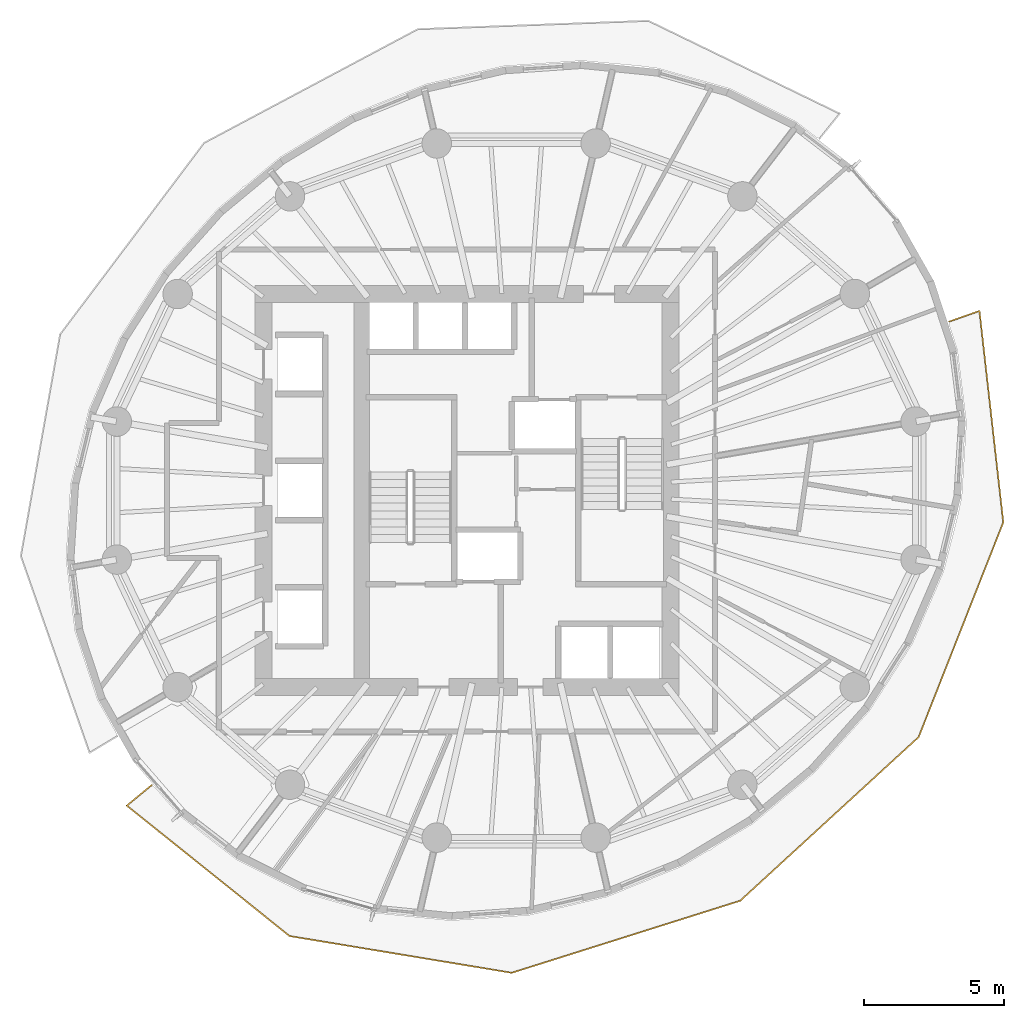
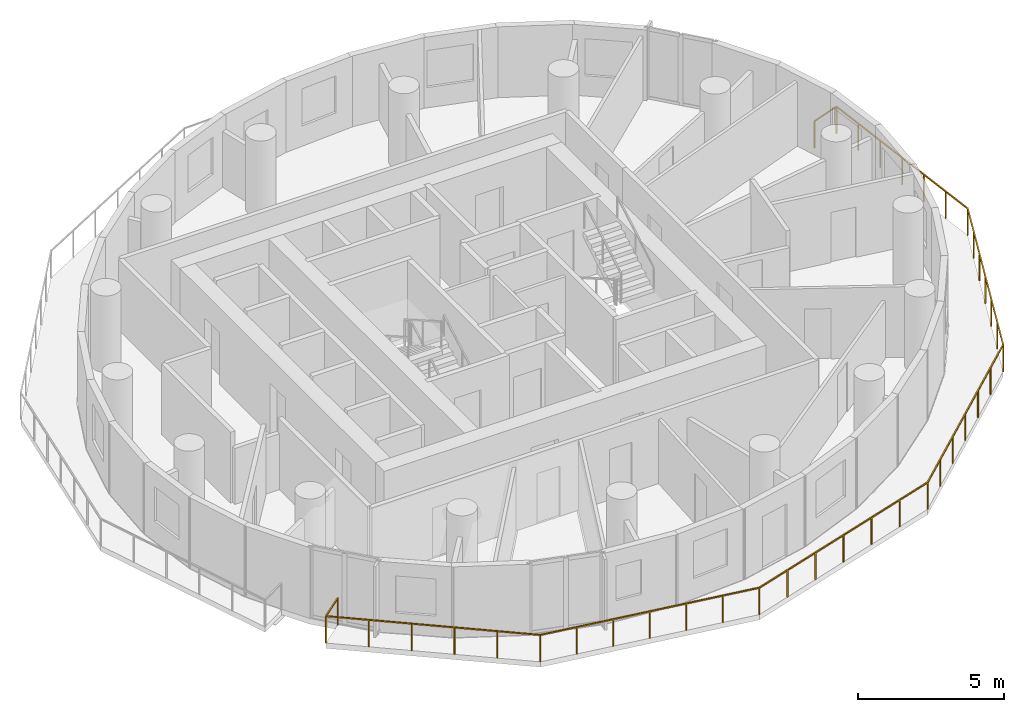
# One storey, part 9 of 12: 1 railing.
"""IFC4 building model written with IfcOpenShell, lengths in metres."""

from ifc_helpers import new_model, si_unit, direction, frame, origin, origin_2d, place, context, subcontext, project, spatial, rectangle, extrude, material, type_object, element, save


model = new_model("IFC4")

# Units and contexts
model_context = context("Model", 3, precision=1e-05, world=origin(), true_north=direction((0.0, 1.0)))
body_context = subcontext(model_context, "Body", "Model", "MODEL_VIEW")
ifc_project = project(units=[si_unit("LENGTHUNIT", "METRE"), si_unit("AREAUNIT", "SQUARE_METRE"), si_unit("VOLUMEUNIT", "CUBIC_METRE"), si_unit("PLANEANGLEUNIT", "RADIAN"), si_unit("MASSUNIT", "GRAM", prefix="KILO")], contexts=[model_context])

# Site, building, storey
site_placement = place(None, origin())
site = spatial("IfcSite", under=ifc_project, at=site_placement, CompositionType="ELEMENT")
building_placement = place(site_placement, origin())
building = spatial("IfcBuilding", under=site, at=building_placement, Name="Veldorim Arch Residences", CompositionType="ELEMENT")
storey_placement = place(building_placement, frame((0.0, 0.0, 145.760009765625)))
storey = spatial("IfcBuildingStorey", under=building, at=storey_placement, Name="L43", CompositionType="ELEMENT", Elevation=145.760009765625)

# Railing
ifc_material = material(Name="Aluminium", Category="aluminium")
railing_type = type_object("IfcRailingType", Name="Balcony & Terrace Laminated Glass Balustrade 1150", PredefinedType="BALUSTRADE", material=ifc_material)
railing_placement = place(storey_placement, frame((19.018310546875, 13.511962890625, 0.0)))
element("IfcRailing", 1, at=railing_placement, inside=storey, type_object=railing_type, Name="L43 crescent balcony safety balustrade B", PredefinedType="BALUSTRADE", context=body_context, shape_type="SweptSolid", body=[
    extrude(rectangle(XDim=0.048095703125, YDim=0.048095703125, at=origin_2d()), frame((0.0, 0.0, 1.1259765625), z_axis=(-0.771862825794, -0.635789098804, 0.0), x_axis=(0.635789098804, -0.771862825794, 0.0)), (0.0, 0.0, 1.0), 1.150146484375),
    extrude(rectangle(XDim=0.048095703125, YDim=0.048095703125, at=origin_2d()), frame((-0.8876953125, -0.731201171875, 1.1259765625), z_axis=(0.780352361535, -0.625340060964, 0.0), x_axis=(0.625340060964, 0.780352361535, 0.0)), (0.0, 0.0, 1.0), 7.42919921875),
    extrude(rectangle(XDim=0.048095703125, YDim=0.048095703125, at=origin_2d()), frame((4.90966796875, -5.376953125, 1.1259765625), z_axis=(0.986583319293, -0.163258549828, 0.0), x_axis=(0.163258549828, 0.986583319293, 0.0)), (0.0, 0.0, 1.0), 8.02001953125),
    extrude(rectangle(XDim=0.048095703125, YDim=0.048095703125, at=origin_2d()), frame((12.822021484375, -6.686279296875, 1.1259765625), z_axis=(0.953685518948, 0.300805470277, 0.0), x_axis=(-0.300805470277, 0.953685518948, 0.0)), (0.0, 0.0, 1.0), 8.533447265625),
    extrude(rectangle(XDim=0.048095703125, YDim=0.048095703125, at=origin_2d()), frame((20.960205078125, -4.119384765625, 1.1259765625), z_axis=(0.736834380594, 0.67607329157, 0.0), x_axis=(-0.67607329157, 0.736834380594, 0.0)), (0.0, 0.0, 1.0), 8.622802734375),
    extrude(rectangle(XDim=0.048095703125, YDim=0.048095703125, at=origin_2d()), frame((27.313720703125, 1.710205078125, 1.1259765625), z_axis=(0.366690452542, 0.930343007721, 0.0), x_axis=(-0.930343007721, 0.366690452542, 0.0)), (0.0, 0.0, 1.0), 8.220458984375),
    extrude(rectangle(XDim=0.048095703125, YDim=0.048095703125, at=origin_2d()), frame((30.328125, 9.358154296875, 1.1259765625), z_axis=(-0.11205134773, 0.993702417966, 0.0), x_axis=(-0.993702417966, -0.11205134773, 0.0)), (0.0, 0.0, 1.0), 7.57568359375),
    extrude(rectangle(XDim=0.048095703125, YDim=0.048095703125, at=origin_2d()), frame((29.479248046875, 16.88623046875, 1.1259765625), z_axis=(-0.94357671006, -0.331154030977, 0.0), x_axis=(0.331154030977, -0.94357671006, 0.0)), (0.0, 0.0, 1.0), 1.150146484375),
    extrude(rectangle(XDim=0.0419921875, YDim=0.0419921875, at=origin_2d()), origin(), (0.0, 0.0, 1.0), 1.101806640625),
    extrude(rectangle(XDim=0.0419921875, YDim=0.0419921875, at=origin_2d()), frame((-0.8876953125, -0.731201171875, 0.0)), (0.0, 0.0, 1.0), 1.101806640625),
    extrude(rectangle(XDim=0.0419921875, YDim=0.0419921875, at=origin_2d()), frame((0.271728515625, -1.660400390625, 0.0)), (0.0, 0.0, 1.0), 1.101806640625),
    extrude(rectangle(XDim=0.0419921875, YDim=0.0419921875, at=origin_2d()), frame((1.43115234375, -2.589599609375, 0.0)), (0.0, 0.0, 1.0), 1.101806640625),
    extrude(rectangle(XDim=0.0419921875, YDim=0.0419921875, at=origin_2d()), frame((2.5908203125, -3.5185546875, 0.0)), (0.0, 0.0, 1.0), 1.101806640625),
    extrude(rectangle(XDim=0.0419921875, YDim=0.0419921875, at=origin_2d()), frame((3.750244140625, -4.44775390625, 0.0)), (0.0, 0.0, 1.0), 1.101806640625),
    extrude(rectangle(XDim=0.0419921875, YDim=0.0419921875, at=origin_2d()), frame((4.90966796875, -5.376953125, 0.0)), (0.0, 0.0, 1.0), 1.101806640625),
    extrude(rectangle(XDim=0.0419921875, YDim=0.0419921875, at=origin_2d()), frame((6.228515625, -5.59521484375, 0.0)), (0.0, 0.0, 1.0), 1.101806640625),
    extrude(rectangle(XDim=0.0419921875, YDim=0.0419921875, at=origin_2d()), frame((7.547119140625, -5.8134765625, 0.0)), (0.0, 0.0, 1.0), 1.101806640625),
    extrude(rectangle(XDim=0.0419921875, YDim=0.0419921875, at=origin_2d()), frame((8.86572265625, -6.03173828125, 0.0)), (0.0, 0.0, 1.0), 1.101806640625),
    extrude(rectangle(XDim=0.0419921875, YDim=0.0419921875, at=origin_2d()), frame((10.1845703125, -6.249755859375, 0.0)), (0.0, 0.0, 1.0), 1.101806640625),
    extrude(rectangle(XDim=0.0419921875, YDim=0.0419921875, at=origin_2d()), frame((11.50341796875, -6.468017578125, 0.0)), (0.0, 0.0, 1.0), 1.101806640625),
    extrude(rectangle(XDim=0.0419921875, YDim=0.0419921875, at=origin_2d()), frame((12.822021484375, -6.686279296875, 0.0)), (0.0, 0.0, 1.0), 1.101806640625),
    extrude(rectangle(XDim=0.0419921875, YDim=0.0419921875, at=origin_2d()), frame((14.178466796875, -6.258544921875, 0.0)), (0.0, 0.0, 1.0), 1.101806640625),
    extrude(rectangle(XDim=0.0419921875, YDim=0.0419921875, at=origin_2d()), frame((15.53466796875, -5.83056640625, 0.0)), (0.0, 0.0, 1.0), 1.101806640625),
    extrude(rectangle(XDim=0.0419921875, YDim=0.0419921875, at=origin_2d()), frame((16.89111328125, -5.40283203125, 0.0)), (0.0, 0.0, 1.0), 1.101806640625),
    extrude(rectangle(XDim=0.0419921875, YDim=0.0419921875, at=origin_2d()), frame((18.24755859375, -4.97509765625, 0.0)), (0.0, 0.0, 1.0), 1.101806640625),
    extrude(rectangle(XDim=0.0419921875, YDim=0.0419921875, at=origin_2d()), frame((19.603759765625, -4.547119140625, 0.0)), (0.0, 0.0, 1.0), 1.101806640625),
    extrude(rectangle(XDim=0.0419921875, YDim=0.0419921875, at=origin_2d()), frame((20.960205078125, -4.119384765625, 0.0)), (0.0, 0.0, 1.0), 1.101806640625),
    extrude(rectangle(XDim=0.0419921875, YDim=0.0419921875, at=origin_2d()), frame((22.01904296875, -3.147705078125, 0.0)), (0.0, 0.0, 1.0), 1.101806640625),
    extrude(rectangle(XDim=0.0419921875, YDim=0.0419921875, at=origin_2d()), frame((23.078125, -2.17626953125, 0.0)), (0.0, 0.0, 1.0), 1.101806640625),
    extrude(rectangle(XDim=0.0419921875, YDim=0.0419921875, at=origin_2d()), frame((24.136962890625, -1.20458984375, 0.0)), (0.0, 0.0, 1.0), 1.101806640625),
    extrude(rectangle(XDim=0.0419921875, YDim=0.0419921875, at=origin_2d()), frame((25.19580078125, -0.23291015625, 0.0)), (0.0, 0.0, 1.0), 1.101806640625),
    extrude(rectangle(XDim=0.0419921875, YDim=0.0419921875, at=origin_2d()), frame((26.2548828125, 0.738525390625, 0.0)), (0.0, 0.0, 1.0), 1.101806640625),
    extrude(rectangle(XDim=0.0419921875, YDim=0.0419921875, at=origin_2d()), frame((27.313720703125, 1.710205078125, 0.0)), (0.0, 0.0, 1.0), 1.101806640625),
    extrude(rectangle(XDim=0.0419921875, YDim=0.0419921875, at=origin_2d()), frame((27.816162109375, 2.98486328125, 0.0)), (0.0, 0.0, 1.0), 1.101806640625),
    extrude(rectangle(XDim=0.0419921875, YDim=0.0419921875, at=origin_2d()), frame((28.318603515625, 4.259521484375, 0.0)), (0.0, 0.0, 1.0), 1.101806640625),
    extrude(rectangle(XDim=0.0419921875, YDim=0.0419921875, at=origin_2d()), frame((28.82080078125, 5.5341796875, 0.0)), (0.0, 0.0, 1.0), 1.101806640625),
    extrude(rectangle(XDim=0.0419921875, YDim=0.0419921875, at=origin_2d()), frame((29.3232421875, 6.808837890625, 0.0)), (0.0, 0.0, 1.0), 1.101806640625),
    extrude(rectangle(XDim=0.0419921875, YDim=0.0419921875, at=origin_2d()), frame((29.82568359375, 8.08349609375, 0.0)), (0.0, 0.0, 1.0), 1.101806640625),
    extrude(rectangle(XDim=0.0419921875, YDim=0.0419921875, at=origin_2d()), frame((30.328125, 9.358154296875, 0.0)), (0.0, 0.0, 1.0), 1.101806640625),
    extrude(rectangle(XDim=0.0419921875, YDim=0.0419921875, at=origin_2d()), frame((30.1865234375, 10.61279296875, 0.0)), (0.0, 0.0, 1.0), 1.101806640625),
    extrude(rectangle(XDim=0.0419921875, YDim=0.0419921875, at=origin_2d()), frame((30.045166015625, 11.867431640625, 0.0)), (0.0, 0.0, 1.0), 1.101806640625),
    extrude(rectangle(XDim=0.0419921875, YDim=0.0419921875, at=origin_2d()), frame((29.90380859375, 13.1220703125, 0.0)), (0.0, 0.0, 1.0), 1.101806640625),
    extrude(rectangle(XDim=0.0419921875, YDim=0.0419921875, at=origin_2d()), frame((29.76220703125, 14.376953125, 0.0)), (0.0, 0.0, 1.0), 1.101806640625),
    extrude(rectangle(XDim=0.0419921875, YDim=0.0419921875, at=origin_2d()), frame((29.62060546875, 15.631591796875, 0.0)), (0.0, 0.0, 1.0), 1.101806640625),
    extrude(rectangle(XDim=0.0419921875, YDim=0.0419921875, at=origin_2d()), frame((29.479248046875, 16.88623046875, 0.0)), (0.0, 0.0, 1.0), 1.101806640625),
    extrude(rectangle(XDim=0.0419921875, YDim=0.0419921875, at=origin_2d()), frame((28.39404296875, 16.50537109375, 0.0)), (0.0, 0.0, 1.0), 1.101806640625),
])

save(model, "model.ifc")
